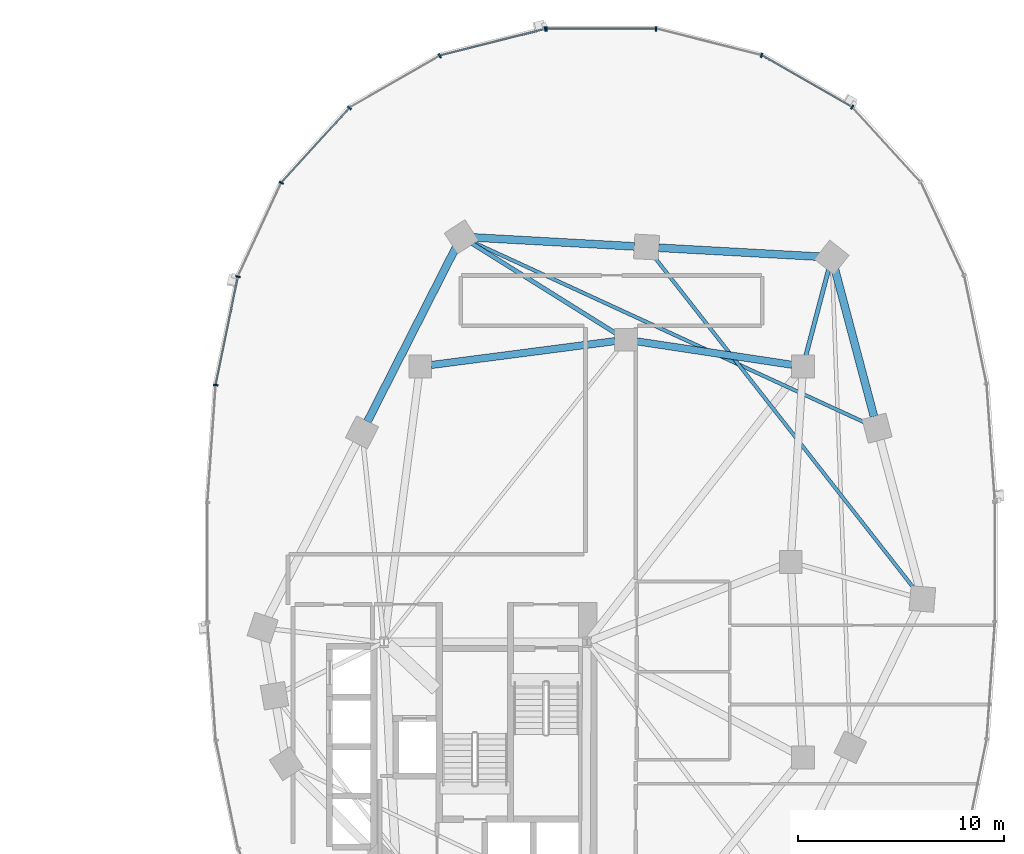
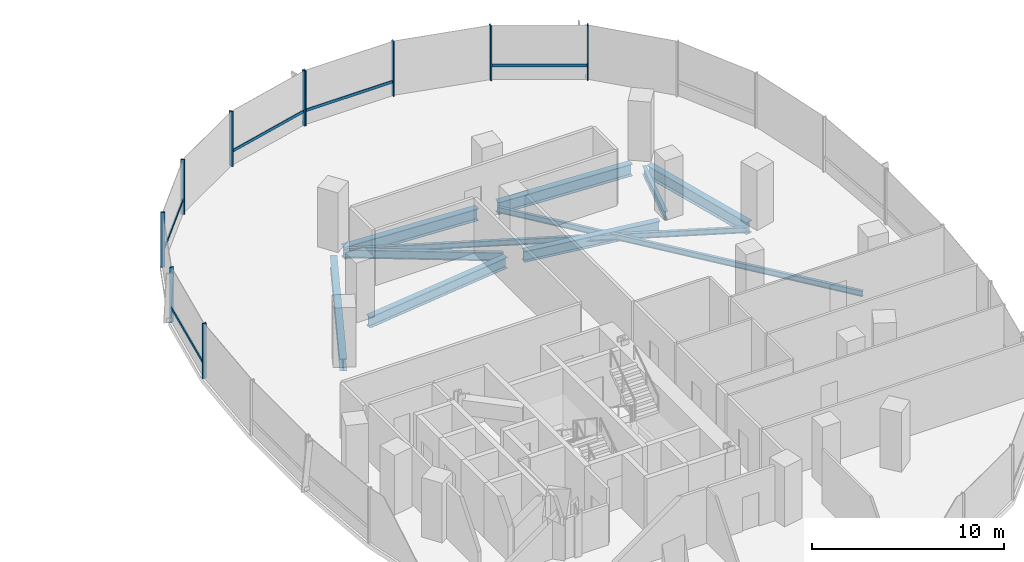
# One storey, part 7 of 21: 15 members, 10 beams, 2 elements without a shape of their own.
"""IFC4 building model written with IfcOpenShell, lengths in metres."""

from ifc_helpers import new_model, si_unit, direction, frame, origin, origin_2d, place, context, subcontext, project, spatial, rectangle, i_section, extrude, material, material_profile, profile_set, type_object, element, aggregate, save


model = new_model("IFC4")

# Units and contexts
model_context = context("Model", 3, precision=1e-05, world=origin(), true_north=direction((0.0, 1.0)))
body_context = subcontext(model_context, "Body", "Model", "MODEL_VIEW")
ifc_project = project(units=[si_unit("LENGTHUNIT", "METRE"), si_unit("AREAUNIT", "SQUARE_METRE"), si_unit("VOLUMEUNIT", "CUBIC_METRE"), si_unit("PLANEANGLEUNIT", "RADIAN"), si_unit("MASSUNIT", "GRAM", prefix="KILO"), si_unit("THERMODYNAMICTEMPERATUREUNIT", "KELVIN"), si_unit("POWERUNIT", "WATT")], contexts=[model_context])

# Site, building, storey
site_placement = place(None, origin())
site = spatial("IfcSite", under=ifc_project, at=site_placement, CompositionType="ELEMENT")
building_placement = place(site_placement, origin())
building = spatial("IfcBuilding", under=site, at=building_placement, Name="Cundina Bronze Exchange", CompositionType="ELEMENT")
storey_placement = place(building_placement, frame((0.0, 0.0, 27.800048828125)))
storey = spatial("IfcBuildingStorey", under=building, at=storey_placement, Name="L06", CompositionType="ELEMENT", Elevation=27.800048828125)

# Beams
ifc_material_1 = material(Name="Steel ASTM A992 Grade 50", Category="steel")
ifc_material_profile_1 = material_profile(ifc_material_1, i_section(OverallWidth=0.2099609375, OverallDepth=0.532958984375, WebThickness=0.01025390625, FlangeThickness=0.015625, FilletRadius=0.013916015625, at=origin_2d()), Name="W21X62", Category="steel")
ifc_profile_set_1 = profile_set([ifc_material_profile_1], Name="Steel ASTM A992 Grade 50")
beam_type_1 = type_object("IfcBeamType", Name="BM-FLR-W21B", PredefinedType="BEAM", material=ifc_profile_set_1)
beam_1_placement = place(storey_placement, frame((41.9375, 10.020263671875, -0.566650390625), z_axis=(0.255373327887, 0.966842522546, 0.0), x_axis=(-0.966842522546, 0.255373327887, 0.0)))
element("IfcBeam", 1, at=beam_1_placement, inside=storey, type_object=beam_type_1, Name="L06 Leg E Chordal Floor Beam 10", PredefinedType="BEAM", context=body_context, shape_type="SweptSolid", body=[
    extrude(i_section(OverallWidth=0.2099609375, OverallDepth=0.532958984375, WebThickness=0.01025390625, FlangeThickness=0.015625, FilletRadius=0.013916015625, at=origin_2d()), origin(), (0.0, 0.0, 1.0), 4.355712890625),
])
beam_2_placement = place(storey_placement, frame((32.743896484375, 11.085205078125, -0.566650390625), z_axis=(-0.848014812458, 0.529972525563, 0.0), x_axis=(-0.529972525563, -0.848014812458, 0.0)))
element("IfcBeam", 2, at=beam_2_placement, inside=storey, type_object=beam_type_1, Name="L06 Leg E Chordal Floor Beam 12", PredefinedType="BEAM", context=body_context, shape_type="SweptSolid", body=[
    extrude(i_section(OverallWidth=0.2099609375, OverallDepth=0.532958984375, WebThickness=0.01025390625, FlangeThickness=0.015625, FilletRadius=0.013916015625, at=origin_2d()), origin(), (0.0, 0.0, 1.0), 8.30810546875),
])
ifc_material_profile_2 = material_profile(ifc_material_1, i_section(OverallWidth=0.172119140625, OverallDepth=0.35791015625, WebThickness=0.0078125, FlangeThickness=0.01318359375, FilletRadius=0.010009765625, at=origin_2d()), Name="W14X38", Category="steel")
ifc_profile_set_2 = profile_set([ifc_material_profile_2], Name="Steel ASTM A992 Grade 50")
beam_type_2 = type_object("IfcBeamType", Name="BM-JST-W14", PredefinedType="JOIST", material=ifc_profile_set_2)
beam_3_placement = place(storey_placement, frame((47.2373046875, -1.337158203125, -0.47900390625), z_axis=(-0.616803089524, 0.787117493614, 0.0), x_axis=(-0.787117493614, -0.616803089524, 0.0)))
element("IfcBeam", 3, at=beam_3_placement, inside=storey, type_object=beam_type_2, Name="L06 Leg E Lobe Floor Joist 08-11", PredefinedType="JOIST", context=body_context, shape_type="SweptSolid", body=[
    extrude(i_section(OverallWidth=0.172119140625, OverallDepth=0.35791015625, WebThickness=0.0078125, FlangeThickness=0.01318359375, FilletRadius=0.010009765625, at=origin_2d()), origin(), (0.0, 0.0, 1.0), 20.548828125),
])
beam_4_placement = place(storey_placement, frame((44.865966796875, 6.745849609375, -0.47900390625), z_axis=(-0.908351511887, 0.418207521277, 0.0), x_axis=(-0.418207521277, -0.908351511887, 0.0)))
element("IfcBeam", 4, at=beam_4_placement, inside=storey, type_object=beam_type_2, Name="L06 Leg E Lobe Floor Joist 09-12", PredefinedType="JOIST", context=body_context, shape_type="SweptSolid", body=[
    extrude(i_section(OverallWidth=0.172119140625, OverallDepth=0.35791015625, WebThickness=0.0078125, FlangeThickness=0.01318359375, FilletRadius=0.010009765625, at=origin_2d()), origin(), (0.0, 0.0, 1.0), 21.062255859375),
])
ifc_material_profile_3 = material_profile(ifc_material_1, i_section(OverallWidth=0.35498046875, OverallDepth=0.695068359375, WebThickness=0.015380859375, FlangeThickness=0.02490234375, FilletRadius=0.01806640625, at=origin_2d()), Name="W27X146", Category="steel")
ifc_profile_set_3 = profile_set([ifc_material_profile_3], Name="Steel ASTM A992 Grade 50")
beam_type_3 = type_object("IfcBeamType", Name="BM-RING-W27", PredefinedType="USERDEFINED", material=ifc_profile_set_3)
beam_5_placement = place(storey_placement, frame((41.26806640625, 9.580322265625, -0.6474609375), z_axis=(-0.988767489563, 0.149461873341, 0.0), x_axis=(-0.149461873341, -0.988767489563, 0.0)))
element("IfcBeam", 5, at=beam_5_placement, inside=storey, type_object=beam_type_3, Name="L06 E Inner Structural Ring Girder 05", ObjectType="GIRDER", PredefinedType="USERDEFINED", context=body_context, shape_type="SweptSolid", body=[
    extrude(i_section(OverallWidth=0.35498046875, OverallDepth=0.695068359375, WebThickness=0.015380859375, FlangeThickness=0.02490234375, FilletRadius=0.01806640625, at=origin_2d()), origin(), (0.0, 0.0, 1.0), 7.621826171875),
])
beam_6_placement = place(storey_placement, frame((32.66650390625, 10.730712890625, -0.6474609375), z_axis=(-0.991654577907, -0.128923225666, 0.0), x_axis=(0.128923225666, -0.991654577907, 0.0)))
element("IfcBeam", 6, at=beam_6_placement, inside=storey, type_object=beam_type_3, Name="L06 E Inner Structural Ring Girder 06", ObjectType="GIRDER", PredefinedType="USERDEFINED", context=body_context, shape_type="SweptSolid", body=[
    extrude(i_section(OverallWidth=0.35498046875, OverallDepth=0.695068359375, WebThickness=0.015380859375, FlangeThickness=0.02490234375, FilletRadius=0.01806640625, at=origin_2d()), origin(), (0.0, 0.0, 1.0), 9.00830078125),
])
ifc_material_profile_4 = material_profile(ifc_material_1, i_section(OverallWidth=0.381103515625, OverallDepth=0.77294921875, WebThickness=0.0166015625, FlangeThickness=0.027099609375, FilletRadius=0.01904296875, at=origin_2d()), Name="W30X173", Category="steel")
ifc_profile_set_4 = profile_set([ifc_material_profile_4], Name="Steel ASTM A992 Grade 50")
beam_type_4 = type_object("IfcBeamType", Name="BM-RING-W30", PredefinedType="USERDEFINED", material=ifc_profile_set_4)
beam_7_placement = place(storey_placement, frame((45.249267578125, 7.068359375, -0.6865234375), z_axis=(-0.256208567826, 0.966621523541, 0.0), x_axis=(-0.966621523541, -0.256208567826, 0.0)))
element("IfcBeam", 7, at=beam_7_placement, inside=storey, type_object=beam_type_4, Name="L06 E Perimeter Ring Girder 09", ObjectType="GIRDER", PredefinedType="USERDEFINED", context=body_context, shape_type="SweptSolid", body=[
    extrude(i_section(OverallWidth=0.381103515625, OverallDepth=0.77294921875, WebThickness=0.0166015625, FlangeThickness=0.027099609375, FilletRadius=0.01904296875, at=origin_2d()), origin(), (0.0, 0.0, 1.0), 7.41064453125),
])
for number, where, z_axis, x_axis, name in (
    (8, (42.61279296875, 14.83251953125, -0.6865234375), (-0.998459969805, 0.055476920391, 0.0), (-0.055476920391, -0.998459969805, 0.0), "L06 E Perimeter Ring Girder 10"),
    (9, (33.61279296875, 15.33251953125, -0.6865234375), (-0.998459969805, 0.055476920391, 0.0), (-0.055476920391, -0.998459969805, 0.0), "L06 E Perimeter Ring Girder 11"),
):
    element("IfcBeam", number, at=place(storey_placement, frame(where, z_axis=z_axis, x_axis=x_axis)), inside=storey, type_object=beam_type_4, Name=name, ObjectType="GIRDER", PredefinedType="USERDEFINED", context=body_context, shape_type="SweptSolid", body=[
        extrude(i_section(OverallWidth=0.381103515625, OverallDepth=0.77294921875, WebThickness=0.0166015625, FlangeThickness=0.027099609375, FilletRadius=0.01904296875, at=origin_2d()), origin(), (0.0, 0.0, 1.0), 7.837646484375),
    ])
beam_8_placement = place(storey_placement, frame((24.93359375, 15.275634765625, -0.6865234375), z_axis=(-0.452819633606, -0.891602141889, 0.0), x_axis=(0.891602141889, -0.452819633606, 0.0)))
element("IfcBeam", 10, at=beam_8_placement, inside=storey, type_object=beam_type_4, Name="L06 E Perimeter Ring Girder 12", ObjectType="GIRDER", PredefinedType="USERDEFINED", context=body_context, shape_type="SweptSolid", body=[
    extrude(i_section(OverallWidth=0.381103515625, OverallDepth=0.77294921875, WebThickness=0.0166015625, FlangeThickness=0.027099609375, FilletRadius=0.01904296875, at=origin_2d()), origin(), (0.0, 0.0, 1.0), 9.47900390625),
])

# Curtain wall, members
ifc_material_2 = material(Name="Anodised Bronze Aluminium 6063-T6", Category="aluminium")
curtain_wall_type = type_object("IfcCurtainWallType", Name="CWS-TRD-LOW", PredefinedType="NOTDEFINED", material=ifc_material_2)
curtain_wall_1_placement = place(storey_placement, origin())
curtain_wall_1 = element("IfcCurtainWall", 11, at=curtain_wall_1_placement, inside=storey, type_object=curtain_wall_type, Name="L06 CW-02 Curtain Wall Run CWR-L06-E1", PredefinedType="NOTDEFINED")
ifc_material_profile_5 = material_profile(ifc_material_2, rectangle(XDim=0.074951171875, YDim=0.219970703125, at=origin_2d()), Name="AL75X220", Category="aluminium")
ifc_profile_set_5 = profile_set([ifc_material_profile_5], Name="Anodised Bronze Aluminium 6063-T6")
member_type_1 = type_object("IfcMemberType", Name="CWM-MUL-220", PredefinedType="MULLION", material=ifc_profile_set_5)
member_1_placement = place(storey_placement, frame((44.189697265625, 22.097412109375, 0.0), z_axis=(0.0, 0.0, 1.0), x_axis=(-0.867070701164, 0.498185105339, 0.0)))
member_1 = element("IfcMember", 12, at=member_1_placement, type_object=member_type_1, Name="CW-02 Mullion 5", PredefinedType="MULLION", context=body_context, shape_type="SweptSolid", body=[
    extrude(rectangle(XDim=0.074951171875, YDim=0.219970703125, at=origin_2d()), origin(), (0.0, 0.0, 1.0), 3.5),
])
member_2_placement = place(storey_placement, frame((39.78515625, 24.61669921875, 0.0), z_axis=(0.0, 0.0, 1.0), x_axis=(-0.969488149345, 0.245138182011, 0.0)))
member_2 = element("IfcMember", 13, at=member_2_placement, type_object=member_type_1, Name="CW-02 Mullion 6", PredefinedType="MULLION", context=body_context, shape_type="SweptSolid", body=[
    extrude(rectangle(XDim=0.074951171875, YDim=0.219970703125, at=origin_2d()), origin(), (0.0, 0.0, 1.0), 3.5),
])
member_3_placement = place(storey_placement, frame((34.654541015625, 25.905029296875, 0.0), z_axis=(0.0, 0.0, 1.0), x_axis=(-1.0, 0.0, 0.0)))
member_3 = element("IfcMember", 14, at=member_3_placement, type_object=member_type_1, Name="CW-02 Mullion 7", PredefinedType="MULLION", context=body_context, shape_type="SweptSolid", body=[
    extrude(rectangle(XDim=0.074951171875, YDim=0.219970703125, at=origin_2d()), origin(), (0.0, 0.0, 1.0), 3.5),
])
member_4_placement = place(storey_placement, frame((29.345458984375, 25.905029296875, 0.0), z_axis=(0.0, 0.0, 1.0), x_axis=(-1.0, 0.0, 0.0)))
member_4 = element("IfcMember", 15, at=member_4_placement, type_object=member_type_1, Name="CW-02 End Mullion", PredefinedType="MULLION", context=body_context, shape_type="SweptSolid", body=[
    extrude(rectangle(XDim=0.074951171875, YDim=0.219970703125, at=origin_2d()), origin(), (0.0, 0.0, 1.0), 3.5),
])

curtain_wall_2_placement = place(storey_placement, origin())
curtain_wall_2 = element("IfcCurtainWall", 16, at=curtain_wall_2_placement, inside=storey, type_object=curtain_wall_type, Name="L06 CW-02 Curtain Wall Run CWR-L06-E2", PredefinedType="NOTDEFINED")
member_5_placement = place(storey_placement, frame((29.27392578125, 25.89599609375, 0.0), z_axis=(0.0, 0.0, 1.0), x_axis=(-0.969488149345, -0.245138182011, 0.0)))
member_5 = element("IfcMember", 17, at=member_5_placement, type_object=member_type_1, Name="CW-02 Mullion 1", PredefinedType="MULLION", context=body_context, shape_type="SweptSolid", body=[
    extrude(rectangle(XDim=0.074951171875, YDim=0.219970703125, at=origin_2d()), origin(), (0.0, 0.0, 1.0), 3.5),
])
member_6_placement = place(storey_placement, frame((24.151123046875, 24.591064453125, 0.0), z_axis=(0.0, 0.0, 1.0), x_axis=(-0.867070701164, -0.498185105339, 0.0)))
member_6 = element("IfcMember", 18, at=member_6_placement, type_object=member_type_1, Name="CW-02 Mullion 2", PredefinedType="MULLION", context=body_context, shape_type="SweptSolid", body=[
    extrude(rectangle(XDim=0.074951171875, YDim=0.219970703125, at=origin_2d()), origin(), (0.0, 0.0, 1.0), 3.5),
])
member_7_placement = place(storey_placement, frame((19.760498046875, 22.0576171875, 0.0), z_axis=(0.0, 0.0, 1.0), x_axis=(-0.674302387584, -0.738455340626, 0.0)))
member_7 = element("IfcMember", 19, at=member_7_placement, type_object=member_type_1, Name="CW-02 Mullion 3", PredefinedType="MULLION", context=body_context, shape_type="SweptSolid", body=[
    extrude(rectangle(XDim=0.074951171875, YDim=0.219970703125, at=origin_2d()), origin(), (0.0, 0.0, 1.0), 3.5),
])
member_8_placement = place(storey_placement, frame((16.455810546875, 18.423583984375, 0.0), z_axis=(0.0, 0.0, 1.0), x_axis=(-0.42087749791, -0.907117485088, 0.0)))
member_8 = element("IfcMember", 20, at=member_8_placement, type_object=member_type_1, Name="CW-02 Mullion 4", PredefinedType="MULLION", context=body_context, shape_type="SweptSolid", body=[
    extrude(rectangle(XDim=0.074951171875, YDim=0.219970703125, at=origin_2d()), origin(), (0.0, 0.0, 1.0), 3.5),
])
member_9_placement = place(storey_placement, frame((14.348876953125, 13.861328125, 0.0), z_axis=(0.0, 0.0, 1.0), x_axis=(-0.201419845156, -0.979505000486, 0.0)))
member_9 = element("IfcMember", 21, at=member_9_placement, type_object=member_type_1, Name="CW-02 Mullion 5", PredefinedType="MULLION", context=body_context, shape_type="SweptSolid", body=[
    extrude(rectangle(XDim=0.074951171875, YDim=0.219970703125, at=origin_2d()), origin(), (0.0, 0.0, 1.0), 3.5),
])
member_10_placement = place(storey_placement, frame((13.27099609375, 8.591552734375, 0.0), z_axis=(0.0, 0.0, 1.0), x_axis=(-0.070278787473, -0.997527389113, 0.0)))
member_10 = element("IfcMember", 22, at=member_10_placement, type_object=member_type_1, Name="CW-02 Mullion 6", PredefinedType="MULLION", context=body_context, shape_type="SweptSolid", body=[
    extrude(rectangle(XDim=0.074951171875, YDim=0.219970703125, at=origin_2d()), origin(), (0.0, 0.0, 1.0), 3.5),
])

# Member
ifc_material_profile_6 = material_profile(ifc_material_2, rectangle(XDim=0.070068359375, YDim=0.179931640625, at=origin_2d()), Name="AL70X180", Category="aluminium")
ifc_profile_set_6 = profile_set([ifc_material_profile_6], Name="Anodised Bronze Aluminium 6063-T6")
member_type_2 = type_object("IfcMemberType", Name="CWM-TRN-180", PredefinedType="USERDEFINED", material=ifc_profile_set_6)
member_11_placement = place(storey_placement, frame((44.154052734375, 22.117919921875, 0.919921875), z_axis=(-0.867097475651, 0.498138502546, 0.0), x_axis=(-0.498138502546, -0.867097475651, 0.0)))
member_11 = element("IfcMember", 23, at=member_11_placement, type_object=member_type_2, Name="CW-02 Spandrel Transom 5", ObjectType="TRANSOM", PredefinedType="USERDEFINED", context=body_context, shape_type="SweptSolid", body=[
    extrude(rectangle(XDim=0.070068359375, YDim=0.179931640625, at=origin_2d()), origin(), (0.0, 0.0, 1.0), 5.00634765625),
])

member_12_placement = place(storey_placement, frame((34.61328125, 25.905029296875, 0.919921875), z_axis=(-1.0, 0.0, 0.0), x_axis=(0.0, -1.0, 0.0)))
member_12 = element("IfcMember", 24, at=member_12_placement, type_object=member_type_2, Name="CW-02 Spandrel Transom 7", ObjectType="TRANSOM", PredefinedType="USERDEFINED", context=body_context, shape_type="SweptSolid", body=[
    extrude(rectangle(XDim=0.070068359375, YDim=0.179931640625, at=origin_2d()), origin(), (0.0, 0.0, 1.0), 5.2265625),
])

aggregate(curtain_wall_1, [member_1, member_11, member_2, member_3, member_4, member_12])

member_13_placement = place(storey_placement, frame((29.23388671875, 25.885986328125, 0.919921875), z_axis=(-0.969483968866, -0.245154714644, 0.0), x_axis=(0.245154714644, -0.969483968866, 0.0)))
member_13 = element("IfcMember", 25, at=member_13_placement, type_object=member_type_2, Name="CW-02 Spandrel Transom 1", ObjectType="TRANSOM", PredefinedType="USERDEFINED", context=body_context, shape_type="SweptSolid", body=[
    extrude(rectangle(XDim=0.070068359375, YDim=0.179931640625, at=origin_2d()), origin(), (0.0, 0.0, 1.0), 5.21826171875),
])

member_14_placement = place(storey_placement, frame((19.73291015625, 22.027099609375, 0.919921875), z_axis=(-0.674302794847, -0.738454968743, 0.0), x_axis=(0.738454968743, -0.674302794847, 0.0)))
member_14 = element("IfcMember", 26, at=member_14_placement, type_object=member_type_2, Name="CW-02 Spandrel Transom 3", ObjectType="TRANSOM", PredefinedType="USERDEFINED", context=body_context, shape_type="SweptSolid", body=[
    extrude(rectangle(XDim=0.070068359375, YDim=0.179931640625, at=origin_2d()), origin(), (0.0, 0.0, 1.0), 4.848388671875),
])

member_15_placement = place(storey_placement, frame((14.340576171875, 13.821044921875, 0.919921875), z_axis=(-0.201427712708, -0.979503382615, 0.0), x_axis=(0.979503382615, -0.201427712708, 0.0)))
member_15 = element("IfcMember", 27, at=member_15_placement, type_object=member_type_2, Name="CW-02 Spandrel Transom 5", ObjectType="TRANSOM", PredefinedType="USERDEFINED", context=body_context, shape_type="SweptSolid", body=[
    extrude(rectangle(XDim=0.070068359375, YDim=0.179931640625, at=origin_2d()), origin(), (0.0, 0.0, 1.0), 5.291748046875),
])

aggregate(curtain_wall_2, [member_5, member_13, member_6, member_7, member_14, member_8, member_9, member_15, member_10])

save(model, "model.ifc")
